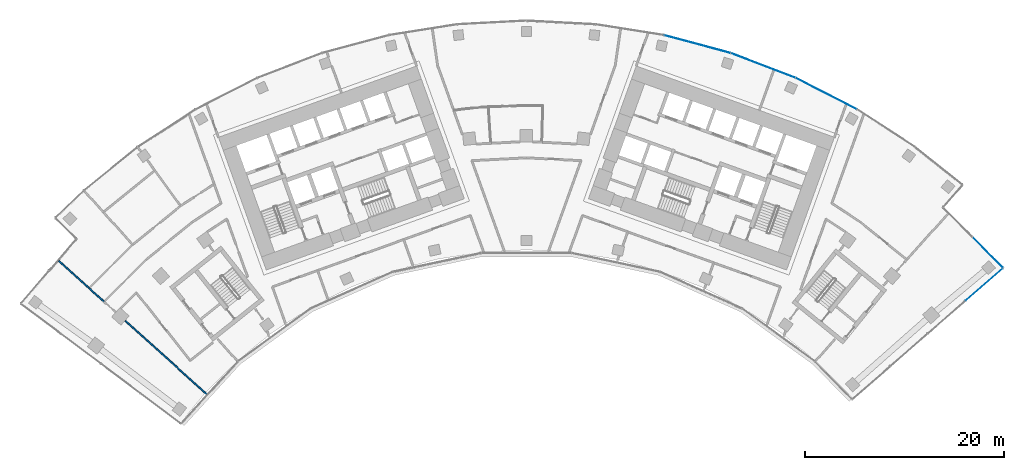
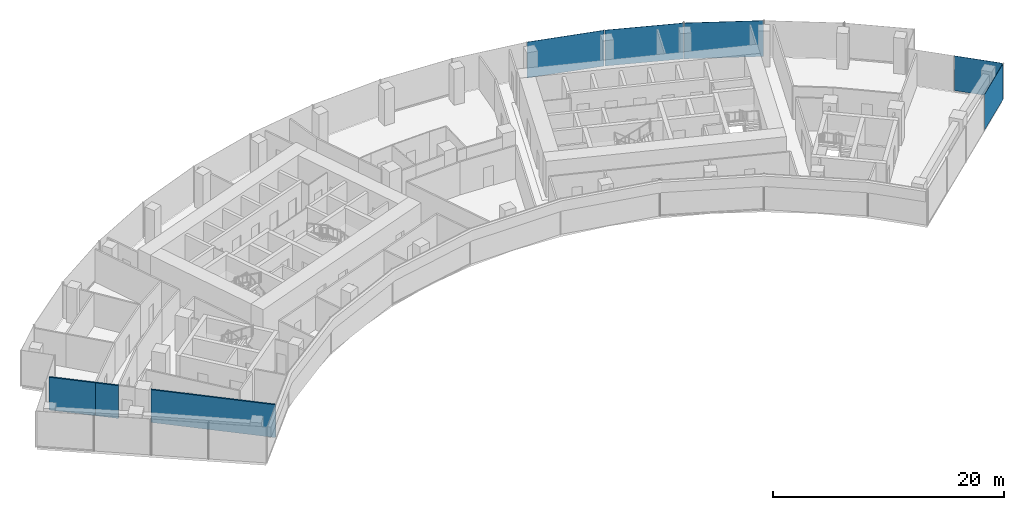
# One storey, part 12 of 20: 5 plates, 3 walls, 3 elements without a shape of their own.
"""IFC4 building model written with IfcOpenShell, lengths in metres."""

from ifc_helpers import new_model, si_unit, direction, frame, frame_2d, origin, origin_2d, place, context, subcontext, project, spatial, rectangle, extrude, material, layer, layer_set, type_object, element, aggregate, save


model = new_model("IFC4")

# Units and contexts
model_context = context("Model", 3, precision=1e-05, world=origin(), true_north=direction((0.0, 1.0)))
body_context = subcontext(model_context, "Body", "Model", "MODEL_VIEW")
ifc_project = project(units=[si_unit("LENGTHUNIT", "METRE"), si_unit("AREAUNIT", "SQUARE_METRE"), si_unit("VOLUMEUNIT", "CUBIC_METRE"), si_unit("PLANEANGLEUNIT", "RADIAN"), si_unit("MASSUNIT", "GRAM", prefix="KILO")], contexts=[model_context])

# Site, building, storey
site_placement = place(None, origin())
site = spatial("IfcSite", under=ifc_project, at=site_placement, CompositionType="ELEMENT")
building_placement = place(site_placement, origin())
building = spatial("IfcBuilding", under=site, at=building_placement, Name="Stone Belt Terrace Tower", CompositionType="ELEMENT")
storey_placement = place(building_placement, frame((0.0, 0.0, 174.39990234375)))
storey = spatial("IfcBuildingStorey", under=building, at=storey_placement, Name="L42", CompositionType="ELEMENT", Elevation=174.39990234375)

# Curtain wall, plates
ifc_material_1 = material(Name="Aluminium 6063-T6 anodised frame", Category="aluminium")
ifc_layer_1 = layer(ifc_material_1, 0.14990234375)
ifc_layer_set_1 = layer_set([ifc_layer_1], Name="CW-A unitised convex-face curtain wall")
curtain_wall_type_1 = type_object("IfcCurtainWallType", Name="CW-A unitised convex-face curtain wall", PredefinedType="NOTDEFINED", material=ifc_layer_set_1)
curtain_wall_1_placement = place(storey_placement, origin())
curtain_wall_1 = element("IfcCurtainWall", 1, at=curtain_wall_1_placement, inside=storey, type_object=curtain_wall_type_1, Name="CW-A convex face L42", PredefinedType="NOTDEFINED")
ifc_material_2 = material(Name="Clear double glazed unit")
ifc_layer_2 = layer(ifc_material_2, 0.031982421875)
ifc_layer_set_2 = layer_set([ifc_layer_2], Name="CW-A glass panel 32")
plate_type_1 = type_object("IfcPlateType", Name="CW-A glass panel 32", PredefinedType="CURTAIN_PANEL", material=ifc_layer_set_2)
plate_1_placement = place(storey_placement, frame((30.18310546875, 59.237548828125, 0.0), z_axis=(0.0, 0.0, 1.0), x_axis=(-0.891006524188, 0.45399049974, 0.0)))
plate_1 = element("IfcPlate", 2, at=plate_1_placement, type_object=plate_type_1, Name="CW-A panel 3.1", PredefinedType="CURTAIN_PANEL", context=body_context, shape_type="SweptSolid", body=[
    extrude(rectangle(XDim=6.90087890625, YDim=0.031982421875, at=origin_2d()), origin(), (0.0, 0.0, 1.0), 3.800048828125),
])
plate_2_placement = place(storey_placement, frame((23.82568359375, 62.068115234375, 0.0), z_axis=(0.0, 0.0, 1.0), x_axis=(-0.933580426497, 0.358367949545, 0.0)))
plate_2 = element("IfcPlate", 3, at=plate_2_placement, type_object=plate_type_1, Name="CW-A panel 4.1", PredefinedType="CURTAIN_PANEL", context=body_context, shape_type="SweptSolid", body=[
    extrude(rectangle(XDim=6.90087890625, YDim=0.031982421875, at=origin_2d()), origin(), (0.0, 0.0, 1.0), 3.800048828125),
])
plate_3_placement = place(storey_placement, frame((17.207275390625, 64.218505859375, 0.0), z_axis=(0.0, 0.0, 1.0), x_axis=(-0.965925826289, 0.258819045103, 0.0)))
plate_3 = element("IfcPlate", 4, at=plate_3_placement, type_object=plate_type_1, Name="CW-A panel 5.1", PredefinedType="CURTAIN_PANEL", context=body_context, shape_type="SweptSolid", body=[
    extrude(rectangle(XDim=6.90087890625, YDim=0.031982421875, at=origin_2d()), origin(), (0.0, 0.0, 1.0), 3.800048828125),
])
aggregate(curtain_wall_1, [plate_1, plate_2, plate_3])

# Curtain wall, plate
ifc_layer_3 = layer(ifc_material_1, 0.14990234375)
ifc_layer_set_3 = layer_set([ifc_layer_3], Name="CW-C stick curtain wall, horn ends and notches")
curtain_wall_type_2 = type_object("IfcCurtainWallType", Name="CW-C stick curtain wall, horn ends and notches", PredefinedType="NOTDEFINED", material=ifc_layer_set_3)
curtain_wall_2_placement = place(storey_placement, origin())
curtain_wall_2 = element("IfcCurtainWall", 5, at=curtain_wall_2_placement, inside=storey, type_object=curtain_wall_type_2, Name="CW-C end face L42", PredefinedType="NOTDEFINED")
ifc_layer_4 = layer(ifc_material_2, 0.028076171875)
ifc_layer_set_4 = layer_set([ifc_layer_4], Name="CW-C glass panel 28")
plate_type_2 = type_object("IfcPlateType", Name="CW-C glass panel 28", PredefinedType="CURTAIN_PANEL", material=ifc_layer_set_4)
plate_4_placement = place(storey_placement, frame((46.072998046875, 40.005126953125, 0.0), z_axis=(0.0, 0.0, 1.0), x_axis=(0.754272557058, 0.65656142871, 0.0)))
plate_4 = element("IfcPlate", 6, at=plate_4_placement, type_object=plate_type_2, Name="CW-C panel 4.1", PredefinedType="CURTAIN_PANEL", context=body_context, shape_type="SweptSolid", body=[
    extrude(rectangle(XDim=4.974853515625, YDim=0.028076171875, at=origin_2d()), origin(), (0.0, 0.0, 1.0), 3.800048828125),
])
aggregate(curtain_wall_2, [plate_4])

curtain_wall_3_placement = place(storey_placement, origin())
curtain_wall_3 = element("IfcCurtainWall", 7, at=curtain_wall_3_placement, inside=storey, type_object=curtain_wall_type_2, Name="CW-C notch face L42", PredefinedType="NOTDEFINED")
plate_5_placement = place(storey_placement, frame((46.446044921875, 43.25244140625, 0.1201171875), z_axis=(0.0, 0.0, 1.0), x_axis=(-0.706060821703, 0.70815119576, 0.0)))
plate_5 = element("IfcPlate", 8, at=plate_5_placement, type_object=plate_type_2, Name="CW-C panel 1.1", PredefinedType="CURTAIN_PANEL", context=body_context, shape_type="SweptSolid", body=[
    extrude(rectangle(XDim=4.268798828125, YDim=0.028076171875, at=origin_2d()), origin(), (0.0, 0.0, 1.0), 3.679931640625),
])
aggregate(curtain_wall_3, [plate_5])

# Walls
ifc_material_3 = material(Name="Gypsum board partition")
ifc_layer_5 = layer(ifc_material_3, 0.14990234375)
ifc_layer_set_5 = layer_set([ifc_layer_5], Name="PARTITION 150 EI 60")
wall_type = type_object("IfcWallType", Name="PARTITION 150 EI 60", PredefinedType="PARTITIONING", material=ifc_layer_set_5)
wall_1_placement = place(storey_placement, frame((-40.385986328125, 36.3642578125, 0.0), z_axis=(0.0, 0.0, 1.0), x_axis=(0.743128216334, -0.669149052221, 0.0)))
element("IfcWall", 9, at=wall_1_placement, inside=storey, type_object=wall_type, Name="L42/wall/i041", PredefinedType="PARTITIONING", context=body_context, shape_type="SweptSolid", body=[
    extrude(rectangle(XDim=11.048828125, YDim=0.14990234375, at=frame_2d((5.5244140625, 0.0))), origin(), (0.0, 0.0, 1.0), 3.47998046875),
])
wall_2_placement = place(storey_placement, frame((-44.032958984375, 39.64892578125, 0.0), z_axis=(0.0, 0.0, 1.0), x_axis=(0.742822489991, -0.669488422875, 0.0)))
element("IfcWall", 10, at=wall_2_placement, inside=storey, type_object=wall_type, Name="L42/wall/i042", PredefinedType="PARTITIONING", context=body_context, shape_type="SweptSolid", body=[
    extrude(rectangle(XDim=2.0341796875, YDim=0.14990234375, at=frame_2d((1.01708984375, 0.0))), origin(), (0.0, 0.0, 1.0), 3.47998046875),
])
wall_3_placement = place(storey_placement, frame((-47.09228515625, 42.40283203125, 0.0), z_axis=(0.0, 0.0, 1.0), x_axis=(0.743164720572, -0.669108509958, 0.0)))
element("IfcWall", 11, at=wall_3_placement, inside=storey, type_object=wall_type, Name="L42/wall/i043", PredefinedType="PARTITIONING", context=body_context, shape_type="SweptSolid", body=[
    extrude(rectangle(XDim=4.12744140625, YDim=0.14990234375, at=frame_2d((2.063720703125, 0.0))), origin(), (0.0, 0.0, 1.0), 3.47998046875),
])

save(model, "model.ifc")
